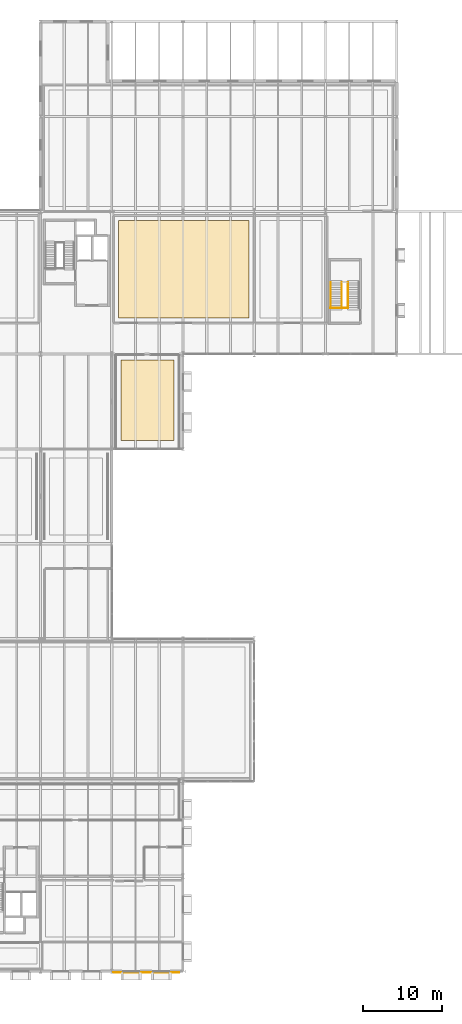
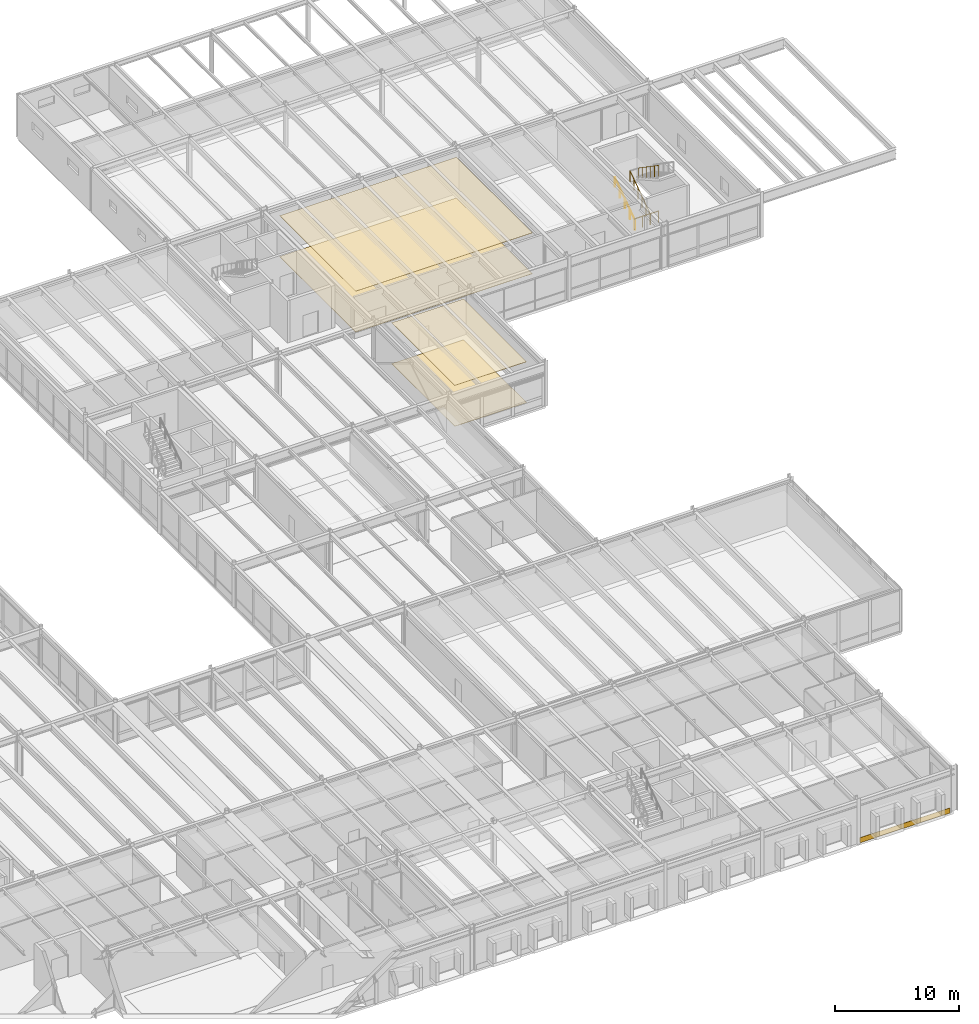
# One storey, part 126 of 127: 5 coverings, 4 railings.
"""IFC4 building model written with IfcOpenShell, lengths in metres."""

from ifc_helpers import new_model, si_unit, direction, frame, origin, origin_2d, place, context, subcontext, project, spatial, polyline, rectangle, circle, outline, extrude, material, layer, layer_set, type_object, element, save


model = new_model("IFC4")

# Units and contexts
model_context = context("Model", 3, precision=1e-05, world=origin(), true_north=direction((0.0, 1.0)))
body_context = subcontext(model_context, "Body", "Model", "MODEL_VIEW")
ifc_project = project(units=[si_unit("LENGTHUNIT", "METRE"), si_unit("AREAUNIT", "SQUARE_METRE"), si_unit("VOLUMEUNIT", "CUBIC_METRE"), si_unit("PLANEANGLEUNIT", "RADIAN"), si_unit("MASSUNIT", "GRAM", prefix="KILO")], contexts=[model_context])

# Site, building, storey
site_placement = place(None, origin())
site = spatial("IfcSite", under=ifc_project, at=site_placement, CompositionType="ELEMENT")
building_placement = place(site_placement, origin())
building = spatial("IfcBuilding", under=site, at=building_placement, Name="Montelvaro Courts of Justice", CompositionType="ELEMENT")
storey_placement = place(building_placement, frame((0.0, 0.0, 5.39990234375)))
storey = spatial("IfcBuildingStorey", under=building, at=storey_placement, Name="L01", CompositionType="ELEMENT", Elevation=5.39990234375)

# Coverings
ifc_material_1 = material(Name="Perforated acoustic gypsum ceiling")
ifc_layer_1 = layer(ifc_material_1, 0.0400390625)
ifc_layer_set_1 = layer_set([ifc_layer_1], Name="Perforated acoustic gypsum ceiling")
covering_type_1 = type_object("IfcCoveringType", Name="AcousticCeiling_Court", PredefinedType="CEILING", material=ifc_layer_set_1)
covering_1_placement = place(storey_placement, frame((0.0, 0.0, 4.02001953125)))
element("IfcCovering", 1, at=covering_1_placement, inside=storey, type_object=covering_type_1, Name="Acoustic Ceiling Panel AC-01 (L01-18)", PredefinedType="CEILING", context=body_context, shape_type="SweptSolid", body=[
    extrude(outline(polyline([(126.85009765625, 82.550048828125), (126.85009765625, 94.85009765625), (143.35009765625, 94.85009765625), (143.35009765625, 82.550048828125), (126.85009765625, 82.550048828125)])), origin(), (0.0, 0.0, 1.0), 0.0400390625),
])
covering_2_placement = place(storey_placement, frame((0.0, 0.0, 4.02001953125)))
element("IfcCovering", 2, at=covering_2_placement, inside=storey, type_object=covering_type_1, Name="Acoustic Ceiling Panel AC-01 (L01-21)", PredefinedType="CEILING", context=body_context, shape_type="SweptSolid", body=[
    extrude(outline(polyline([(133.85009765625, 67.050048828125), (127.14990234375, 67.050048828125), (127.14990234375, 77.25), (133.85009765625, 77.25), (133.85009765625, 67.050048828125)])), origin(), (0.0, 0.0, 1.0), 0.0400390625),
])
ifc_material_2 = material(Name="White mineral precast concrete C45/55", Category="concrete")
ifc_layer_2 = layer(ifc_material_2, 0.0400390625)
ifc_layer_set_2 = layer_set([ifc_layer_2], Name="White mineral precast concrete C45/55")
covering_type_2 = type_object("IfcCoveringType", Name="BarCladding_GFRC", PredefinedType="CLADDING", material=ifc_layer_set_2)
covering_3_placement = place(storey_placement, frame((130.35009765625, -0.162109375, 0.030029296875), z_axis=(0.0, 0.0, 1.0), x_axis=(1.0, 0.0, 0.0)))
element("IfcCovering", 3, at=covering_3_placement, inside=storey, type_object=covering_type_2, Name="Horizontal White Bar Spandrel Cladding CL-01-008", PredefinedType="CLADDING", context=body_context, shape_type="SweptSolid", body=[
    extrude(rectangle(XDim=8.384033203125, YDim=0.0400390625, at=origin_2d()), origin(), (0.0, 0.0, 1.0), 0.5),
])

# Railings
ifc_material_3 = material(Name="Steel S355", Category="steel")
railing_type_1 = type_object("IfcRailingType", Name="InteriorGuard_1100", PredefinedType="BALUSTRADE", material=ifc_material_3)
railing_1_placement = place(storey_placement, frame((153.60009765625, 83.800048828125, 0.0)))
element("IfcRailing", 4, at=railing_1_placement, inside=storey, type_object=railing_type_1, Name="Stair Well Guard GR-02 ST-V2-L00-TLG", PredefinedType="BALUSTRADE", context=body_context, shape_type="SweptSolid", body=[
    extrude(circle(Radius=0.02392578125, at=origin_2d()), frame((0.0, 0.0, 1.076171875), z_axis=(1.0, 0.0, 0.0), x_axis=(0.0, 1.0, 0.0)), (0.0, 0.0, 1.0), 2.239990234375),
    extrude(circle(Radius=0.02099609375, at=origin_2d()), origin(), (0.0, 0.0, 1.0), 1.052001953125),
    extrude(circle(Radius=0.02099609375, at=origin_2d()), frame((0.74658203125, 0.0, 0.0)), (0.0, 0.0, 1.0), 1.052001953125),
    extrude(circle(Radius=0.02099609375, at=origin_2d()), frame((1.493408203125, 0.0, 0.0)), (0.0, 0.0, 1.0), 1.052001953125),
    extrude(circle(Radius=0.02099609375, at=origin_2d()), frame((2.239990234375, 0.0, 0.0)), (0.0, 0.0, 1.0), 1.052001953125),
])
railing_2_placement = place(storey_placement, frame((155.06005859375, 83.800048828125, 0.0)))
element("IfcRailing", 5, at=railing_2_placement, inside=storey, type_object=railing_type_1, Name="Stair Well Guard GR-02 ST-V2-L01-F1G", PredefinedType="BALUSTRADE", context=body_context, shape_type="SweptSolid", body=[
    extrude(circle(Radius=0.02392578125, at=origin_2d()), frame((0.0, 0.0, 1.076171875), z_axis=(0.0, 0.823407228882, 0.567450910146), x_axis=(-1.0, 0.0, 0.0)), (0.0, 0.0, 1.0), 3.965087890625),
    extrude(circle(Radius=0.02099609375, at=origin_2d()), origin(), (0.0, 0.0, 1.0), 1.052001953125),
    extrude(circle(Radius=0.02099609375, at=origin_2d()), frame((0.0, 0.653076171875, 0.449951171875)), (0.0, 0.0, 1.0), 1.052001953125),
    extrude(circle(Radius=0.02099609375, at=origin_2d()), frame((0.0, 1.305908203125, 0.89990234375)), (0.0, 0.0, 1.0), 1.052001953125),
    extrude(circle(Radius=0.02099609375, at=origin_2d()), frame((0.0, 1.958984375, 1.35009765625)), (0.0, 0.0, 1.0), 1.052001953125),
    extrude(circle(Radius=0.02099609375, at=origin_2d()), frame((0.0, 2.61181640625, 1.800048828125)), (0.0, 0.0, 1.0), 1.052001953125),
    extrude(circle(Radius=0.02099609375, at=origin_2d()), frame((0.0, 3.264892578125, 2.25)), (0.0, 0.0, 1.0), 1.052001953125),
])
railing_3_placement = place(storey_placement, frame((155.840087890625, 87.06494140625, 2.25)))
element("IfcRailing", 6, at=railing_3_placement, inside=storey, type_object=railing_type_1, Name="Stair Well Guard GR-02 ST-V2-L01-F2G", PredefinedType="BALUSTRADE", context=body_context, shape_type="SweptSolid", body=[
    extrude(circle(Radius=0.02392578125, at=origin_2d()), frame((0.0, 0.0, 1.076171875), z_axis=(0.0, -0.823407228882, 0.567450910146), x_axis=(1.0, 0.0, 0.0)), (0.0, 0.0, 1.0), 3.965087890625),
    extrude(circle(Radius=0.02099609375, at=origin_2d()), origin(), (0.0, 0.0, 1.0), 1.052001953125),
    extrude(circle(Radius=0.02099609375, at=origin_2d()), frame((0.0, -0.653076171875, 0.449951171875)), (0.0, 0.0, 1.0), 1.052001953125),
    extrude(circle(Radius=0.02099609375, at=origin_2d()), frame((0.0, -1.305908203125, 0.89990234375)), (0.0, 0.0, 1.0), 1.052001953125),
    extrude(circle(Radius=0.02099609375, at=origin_2d()), frame((0.0, -1.958984375, 1.35009765625)), (0.0, 0.0, 1.0), 1.052001953125),
    extrude(circle(Radius=0.02099609375, at=origin_2d()), frame((0.0, -2.61181640625, 1.800048828125)), (0.0, 0.0, 1.0), 1.052001953125),
    extrude(circle(Radius=0.02099609375, at=origin_2d()), frame((0.0, -3.264892578125, 2.25)), (0.0, 0.0, 1.0), 1.052001953125),
])

# Coverings
ifc_material_4 = material(Name="Alicante limestone judicial flooring", Category="masonry")
ifc_layer_3 = layer(ifc_material_4, 0.030029296875)
ifc_layer_set_3 = layer_set([ifc_layer_3], Name="Alicante limestone judicial flooring")
covering_type_3 = type_object("IfcCoveringType", Name="JudicialStoneFlooring", PredefinedType="FLOORING", material=ifc_layer_set_3)
covering_4_placement = place(storey_placement, origin())
element("IfcCovering", 7, at=covering_4_placement, inside=storey, type_object=covering_type_3, Name="Judicial Stone Flooring FLR-01 (L01-18)", PredefinedType="FLOORING", context=body_context, shape_type="SweptSolid", body=[
    extrude(outline(polyline([(126.85009765625, 82.550048828125), (126.85009765625, 94.85009765625), (143.35009765625, 94.85009765625), (143.35009765625, 82.550048828125), (126.85009765625, 82.550048828125)])), origin(), (0.0, 0.0, 1.0), 0.030029296875),
])
covering_5_placement = place(storey_placement, origin())
element("IfcCovering", 8, at=covering_5_placement, inside=storey, type_object=covering_type_3, Name="Judicial Stone Flooring FLR-01 (L01-21)", PredefinedType="FLOORING", context=body_context, shape_type="SweptSolid", body=[
    extrude(outline(polyline([(133.85009765625, 67.050048828125), (127.14990234375, 67.050048828125), (127.14990234375, 77.25), (133.85009765625, 77.25), (133.85009765625, 67.050048828125)])), origin(), (0.0, 0.0, 1.0), 0.030029296875),
])

# Railing
ifc_material_5 = material(Name="Austenitic stainless steel EN 1.4401", Category="steel")
railing_type_2 = type_object("IfcRailingType", Name="StairHandrail_950", PredefinedType="HANDRAIL", material=ifc_material_5)
railing_4_placement = place(storey_placement, frame((153.659912109375, 83.800048828125, 0.0)))
element("IfcRailing", 9, at=railing_4_placement, inside=storey, type_object=railing_type_2, Name="Stair Pitch Handrail HR-01 ST-V2-L01-F1H", PredefinedType="HANDRAIL", context=body_context, shape_type="SweptSolid", body=[
    extrude(circle(Radius=0.02392578125, at=origin_2d()), frame((0.0, 0.0, 0.92578125), z_axis=(0.0, 0.823407228882, 0.567450910146), x_axis=(-1.0, 0.0, 0.0)), (0.0, 0.0, 1.0), 3.965087890625),
    extrude(circle(Radius=0.02099609375, at=origin_2d()), origin(), (0.0, 0.0, 1.0), 0.90185546875),
    extrude(circle(Radius=0.02099609375, at=origin_2d()), frame((0.0, 0.816162109375, 0.5625)), (0.0, 0.0, 1.0), 0.90185546875),
    extrude(circle(Radius=0.02099609375, at=origin_2d()), frame((0.0, 1.63232421875, 1.125)), (0.0, 0.0, 1.0), 0.90185546875),
    extrude(circle(Radius=0.02099609375, at=origin_2d()), frame((0.0, 2.44873046875, 1.6875)), (0.0, 0.0, 1.0), 0.90185546875),
    extrude(circle(Radius=0.02099609375, at=origin_2d()), frame((0.0, 3.264892578125, 2.25)), (0.0, 0.0, 1.0), 0.90185546875),
])

save(model, "model.ifc")
